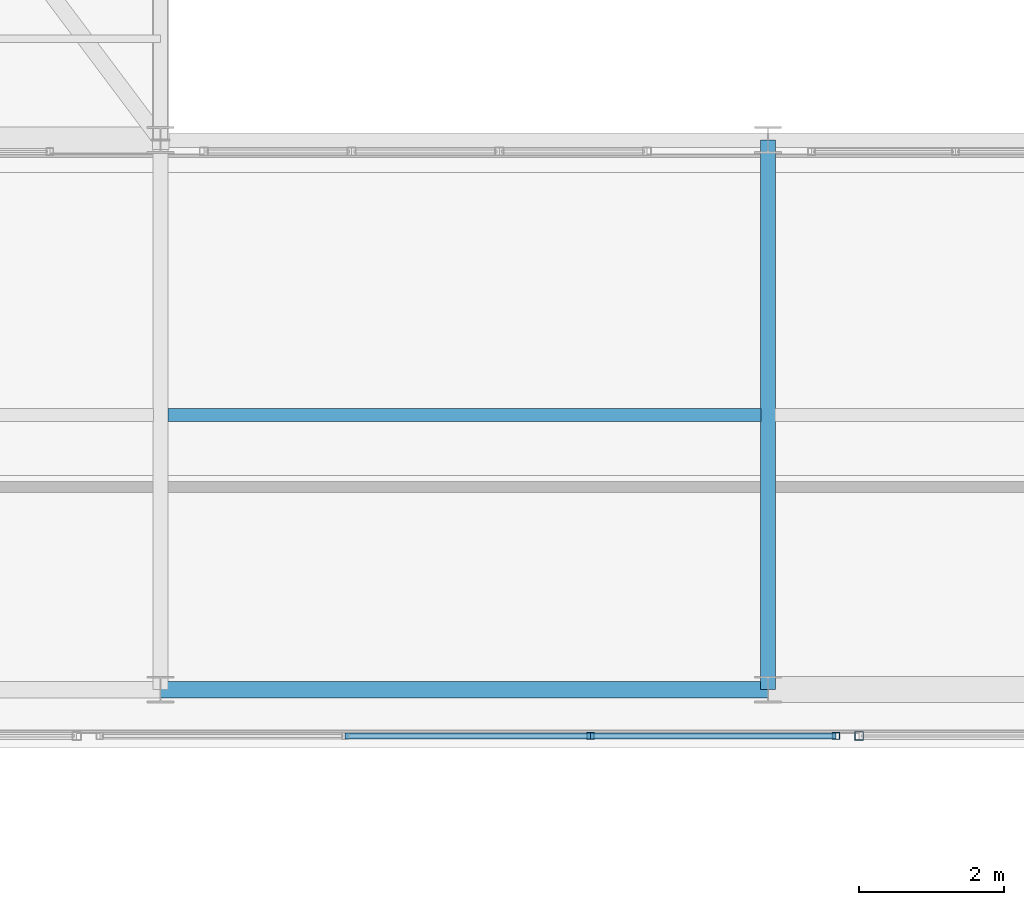
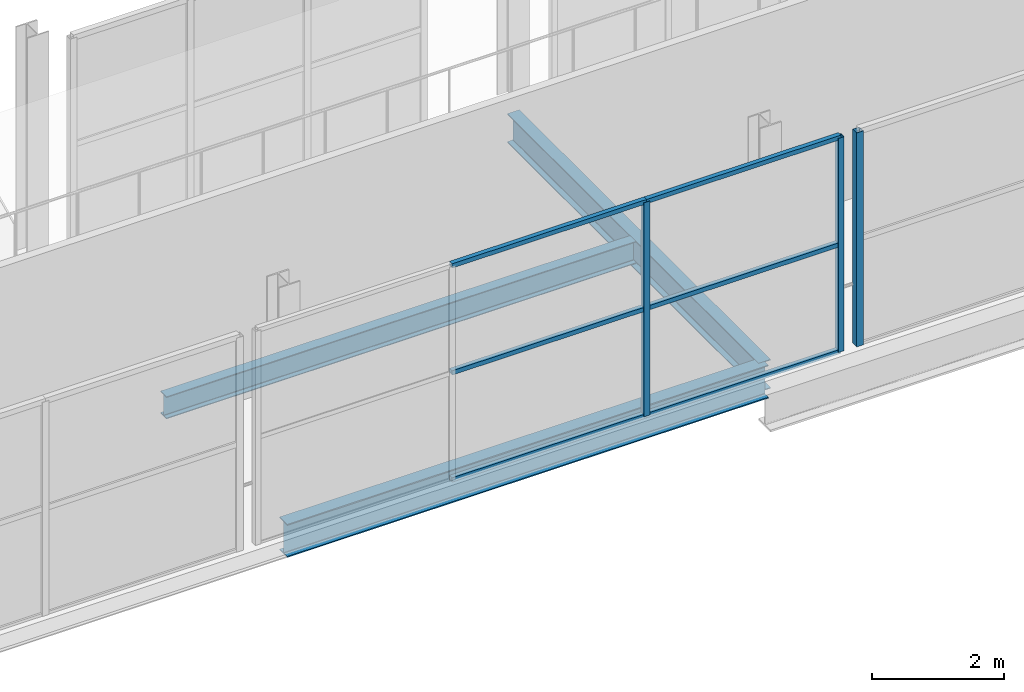
# One storey, part 151 of 217: 9 members, 3 beams, 2 elements without a shape of their own.
"""IFC4 building model written with IfcOpenShell, lengths in metres."""

from ifc_helpers import new_model, si_unit, direction, frame, origin, origin_2d, place, context, subcontext, project, spatial, hollow_rectangle, i_section, extrude, material, material_profile, profile_set, type_object, element, aggregate, save


model = new_model("IFC4")

# Units and contexts
model_context = context("Model", 3, precision=1e-05, world=origin(), true_north=direction((0.0, 1.0)))
body_context = subcontext(model_context, "Body", "Model", "MODEL_VIEW")
ifc_project = project(units=[si_unit("LENGTHUNIT", "METRE"), si_unit("AREAUNIT", "SQUARE_METRE"), si_unit("VOLUMEUNIT", "CUBIC_METRE"), si_unit("PLANEANGLEUNIT", "RADIAN"), si_unit("MASSUNIT", "GRAM", prefix="KILO")], contexts=[model_context])

# Site, building, storey
site_placement = place(None, origin())
site = spatial("IfcSite", under=ifc_project, at=site_placement, CompositionType="ELEMENT")
building_placement = place(site_placement, origin())
building = spatial("IfcBuilding", under=site, at=building_placement, Name="Zuvorla Pavilion Media Centre", CompositionType="ELEMENT")
storey_placement = place(building_placement, frame((0.0, 0.0, 9.60009765625)))
storey = spatial("IfcBuildingStorey", under=building, at=storey_placement, Name="L02", CompositionType="ELEMENT", Elevation=9.60009765625)

# Beams
ifc_material_1 = material(Name="Steel S355", Category="steel")
ifc_material_profile_1 = material_profile(ifc_material_1, i_section(OverallWidth=0.1787109375, OverallDepth=0.409423828125, WebThickness=0.0087890625, FlangeThickness=0.014404296875, FilletRadius=0.01025390625, at=origin_2d()), Name="UB 406x178x67")
ifc_profile_set_1 = profile_set([ifc_material_profile_1], Name="Steel S355")
beam_type_1 = type_object("IfcBeamType", Name="BM-UB406", PredefinedType="JOIST", material=ifc_profile_set_1)
beam_1_placement = place(storey_placement, frame((134.10009765625, 85.800048828125, -0.472900390625), z_axis=(1.0, 0.0, 0.0), x_axis=(0.0, 1.0, 0.0)))
element("IfcBeam", 1, at=beam_1_placement, inside=storey, type_object=beam_type_1, Name="L02 joist J02 1037", PredefinedType="JOIST", context=body_context, shape_type="SweptSolid", body=[
    extrude(i_section(OverallWidth=0.1787109375, OverallDepth=0.409423828125, WebThickness=0.0087890625, FlangeThickness=0.014404296875, FilletRadius=0.01025390625, at=origin_2d()), origin(), (0.0, 0.0, 1.0), 8.199951171875),
])
ifc_material_profile_2 = material_profile(ifc_material_1, i_section(OverallWidth=0.2099609375, OverallDepth=0.53662109375, WebThickness=0.0107421875, FlangeThickness=0.017333984375, FilletRadius=0.0126953125, at=origin_2d()), Name="UB 533x210x101")
ifc_profile_set_2 = profile_set([ifc_material_profile_2], Name="Steel S355")
beam_type_2 = type_object("IfcBeamType", Name="BM-UB533", PredefinedType="BEAM", material=ifc_profile_set_2)
beam_2_placement = place(storey_placement, frame((142.39990234375, 82.0, -0.536376953125), z_axis=(0.0, 1.0, 0.0), x_axis=(-1.0, 0.0, 0.0)))
element("IfcBeam", 2, at=beam_2_placement, inside=storey, type_object=beam_type_2, Name="L02 beam B08 968", PredefinedType="BEAM", context=body_context, shape_type="SweptSolid", body=[
    extrude(i_section(OverallWidth=0.2099609375, OverallDepth=0.53662109375, WebThickness=0.0107421875, FlangeThickness=0.017333984375, FilletRadius=0.0126953125, at=origin_2d()), origin(), (0.0, 0.0, 1.0), 7.60009765625),
])
ifc_material_profile_3 = material_profile(ifc_material_1, i_section(OverallWidth=0.22900390625, OverallDepth=0.6123046875, WebThickness=0.011962890625, FlangeThickness=0.01953125, FilletRadius=0.0126953125, at=origin_2d()), Name="UB 610x229x125")
ifc_profile_set_3 = profile_set([ifc_material_profile_3], Name="Steel S355")
beam_type_3 = type_object("IfcBeamType", Name="BM-UB610", PredefinedType="BEAM", material=ifc_profile_set_3)
beam_3_placement = place(storey_placement, frame((134.0, 82.0, -0.57421875), z_axis=(1.0, 0.0, 0.0), x_axis=(0.0, 1.0, 0.0)))
element("IfcBeam", 3, at=beam_3_placement, inside=storey, type_object=beam_type_3, Name="L02 beam B07 872", PredefinedType="BEAM", context=body_context, shape_type="SweptSolid", body=[
    extrude(i_section(OverallWidth=0.22900390625, OverallDepth=0.6123046875, WebThickness=0.011962890625, FlangeThickness=0.01953125, FilletRadius=0.0126953125, at=origin_2d()), origin(), (0.0, 0.0, 1.0), 8.39990234375),
])

# Curtain wall, members
ifc_material_2 = material(Name="Unitised anodised aluminium and solar glass curtain wall", Category="aluminium")
curtain_wall_type_1 = type_object("IfcCurtainWallType", Name="CW-SYS-33", PredefinedType="USERDEFINED", material=ifc_material_2)
curtain_wall_1_placement = place(storey_placement, origin())
curtain_wall_1 = element("IfcCurtainWall", 4, at=curtain_wall_1_placement, inside=storey, type_object=curtain_wall_type_1, Name="L02 curtain wall CW33 83", ObjectType="CURTAIN WALL", PredefinedType="USERDEFINED")
ifc_material_3 = material(Name="Anodised aluminium 6063-T6", Category="aluminium")
ifc_material_profile_4 = material_profile(ifc_material_3, hollow_rectangle(XDim=0.10009765625, YDim=0.10009765625, WallThickness=0.00439453125, at=origin_2d()), Name="ALU MULL 100x100")
ifc_profile_set_4 = profile_set([ifc_material_profile_4], Name="Anodised aluminium 6063-T6")
member_type_1 = type_object("IfcMemberType", Name="CW-MULL-100", PredefinedType="MULLION", material=ifc_profile_set_4)
member_1_placement = place(storey_placement, frame((143.340087890625, 81.360107421875, 0.0), z_axis=(0.0, 0.0, 1.0), x_axis=(1.0, 0.0, 0.0)))
member_1 = element("IfcMember", 5, at=member_1_placement, type_object=member_type_1, Name="CW33 mullion 1", PredefinedType="MULLION", context=body_context, shape_type="SweptSolid", body=[
    extrude(hollow_rectangle(XDim=0.10009765625, YDim=0.10009765625, WallThickness=0.00439453125, at=origin_2d()), origin(), (0.0, 0.0, 1.0), 3.949951171875),
])
member_2_placement = place(storey_placement, frame((139.94677734375, 81.360107421875, 0.0), z_axis=(0.0, 0.0, 1.0), x_axis=(1.0, 0.0, 0.0)))
member_2 = element("IfcMember", 6, at=member_2_placement, type_object=member_type_1, Name="CW33 mullion 2", PredefinedType="MULLION", context=body_context, shape_type="SweptSolid", body=[
    extrude(hollow_rectangle(XDim=0.10009765625, YDim=0.10009765625, WallThickness=0.00439453125, at=origin_2d()), origin(), (0.0, 0.0, 1.0), 3.949951171875),
])

# Curtain wall, member
curtain_wall_type_2 = type_object("IfcCurtainWallType", Name="CW-SYS-35", PredefinedType="USERDEFINED", material=ifc_material_2)
curtain_wall_2_placement = place(storey_placement, origin())
curtain_wall_2 = element("IfcCurtainWall", 7, at=curtain_wall_2_placement, inside=storey, type_object=curtain_wall_type_2, Name="L02 curtain wall CW35 86", ObjectType="CURTAIN WALL", PredefinedType="USERDEFINED")
ifc_material_profile_5 = material_profile(ifc_material_3, hollow_rectangle(XDim=0.1201171875, YDim=0.1201171875, WallThickness=0.0048828125, at=origin_2d()), Name="ALU MULL 120x120")
ifc_profile_set_5 = profile_set([ifc_material_profile_5], Name="Anodised aluminium 6063-T6")
member_type_2 = type_object("IfcMemberType", Name="CW-MULL-120", PredefinedType="MULLION", material=ifc_profile_set_5)
member_3_placement = place(storey_placement, frame((143.659912109375, 81.360107421875, 0.0), z_axis=(0.0, 0.0, 1.0), x_axis=(1.0, 0.0, 0.0)))
member_3 = element("IfcMember", 8, at=member_3_placement, type_object=member_type_2, Name="CW35 mullion 4", PredefinedType="MULLION", context=body_context, shape_type="SweptSolid", body=[
    extrude(hollow_rectangle(XDim=0.1201171875, YDim=0.1201171875, WallThickness=0.0048828125, at=origin_2d()), origin(), (0.0, 0.0, 1.0), 3.949951171875),
])
aggregate(curtain_wall_2, [member_3])

# Member
ifc_material_profile_6 = material_profile(ifc_material_3, hollow_rectangle(XDim=0.080078125, YDim=0.080078125, WallThickness=0.00390625, at=origin_2d()), Name="ALU TRAN 80x80")
ifc_profile_set_6 = profile_set([ifc_material_profile_6], Name="Anodised aluminium 6063-T6")
member_type_3 = type_object("IfcMemberType", Name="CW-TRAN-80", PredefinedType="USERDEFINED", material=ifc_profile_set_6)
member_4_placement = place(storey_placement, frame((143.340087890625, 81.360107421875, 0.0), z_axis=(-1.0, 0.0, 0.0), x_axis=(0.0, -1.0, 0.0)))
member_4 = element("IfcMember", 9, at=member_4_placement, type_object=member_type_3, Name="CW33 transom 1.1", ObjectType="TRANSOM", PredefinedType="USERDEFINED", context=body_context, shape_type="SweptSolid", body=[
    extrude(hollow_rectangle(XDim=0.080078125, YDim=0.080078125, WallThickness=0.00390625, at=origin_2d()), origin(), (0.0, 0.0, 1.0), 3.393310546875),
])

member_5_placement = place(storey_placement, frame((143.340087890625, 81.360107421875, 1.974853515625), z_axis=(-1.0, 0.0, 0.0), x_axis=(0.0, -1.0, 0.0)))
member_5 = element("IfcMember", 10, at=member_5_placement, type_object=member_type_3, Name="CW33 transom 1.2", ObjectType="TRANSOM", PredefinedType="USERDEFINED", context=body_context, shape_type="SweptSolid", body=[
    extrude(hollow_rectangle(XDim=0.080078125, YDim=0.080078125, WallThickness=0.00390625, at=origin_2d()), origin(), (0.0, 0.0, 1.0), 3.393310546875),
])

member_6_placement = place(storey_placement, frame((143.340087890625, 81.360107421875, 3.949951171875), z_axis=(-1.0, 0.0, 0.0), x_axis=(0.0, -1.0, 0.0)))
member_6 = element("IfcMember", 11, at=member_6_placement, type_object=member_type_3, Name="CW33 transom 1.3", ObjectType="TRANSOM", PredefinedType="USERDEFINED", context=body_context, shape_type="SweptSolid", body=[
    extrude(hollow_rectangle(XDim=0.080078125, YDim=0.080078125, WallThickness=0.00390625, at=origin_2d()), origin(), (0.0, 0.0, 1.0), 3.393310546875),
])

member_7_placement = place(storey_placement, frame((139.94677734375, 81.360107421875, 0.0), z_axis=(-1.0, 0.0, 0.0), x_axis=(0.0, -1.0, 0.0)))
member_7 = element("IfcMember", 12, at=member_7_placement, type_object=member_type_3, Name="CW33 transom 2.1", ObjectType="TRANSOM", PredefinedType="USERDEFINED", context=body_context, shape_type="SweptSolid", body=[
    extrude(hollow_rectangle(XDim=0.080078125, YDim=0.080078125, WallThickness=0.00390625, at=origin_2d()), origin(), (0.0, 0.0, 1.0), 3.3935546875),
])

member_8_placement = place(storey_placement, frame((139.94677734375, 81.360107421875, 1.974853515625), z_axis=(-1.0, 0.0, 0.0), x_axis=(0.0, -1.0, 0.0)))
member_8 = element("IfcMember", 13, at=member_8_placement, type_object=member_type_3, Name="CW33 transom 2.2", ObjectType="TRANSOM", PredefinedType="USERDEFINED", context=body_context, shape_type="SweptSolid", body=[
    extrude(hollow_rectangle(XDim=0.080078125, YDim=0.080078125, WallThickness=0.00390625, at=origin_2d()), origin(), (0.0, 0.0, 1.0), 3.3935546875),
])

member_9_placement = place(storey_placement, frame((139.94677734375, 81.360107421875, 3.949951171875), z_axis=(-1.0, 0.0, 0.0), x_axis=(0.0, -1.0, 0.0)))
member_9 = element("IfcMember", 14, at=member_9_placement, type_object=member_type_3, Name="CW33 transom 2.3", ObjectType="TRANSOM", PredefinedType="USERDEFINED", context=body_context, shape_type="SweptSolid", body=[
    extrude(hollow_rectangle(XDim=0.080078125, YDim=0.080078125, WallThickness=0.00390625, at=origin_2d()), origin(), (0.0, 0.0, 1.0), 3.3935546875),
])

aggregate(curtain_wall_1, [member_1, member_2, member_4, member_5, member_6, member_7, member_8, member_9])

save(model, "model.ifc")
